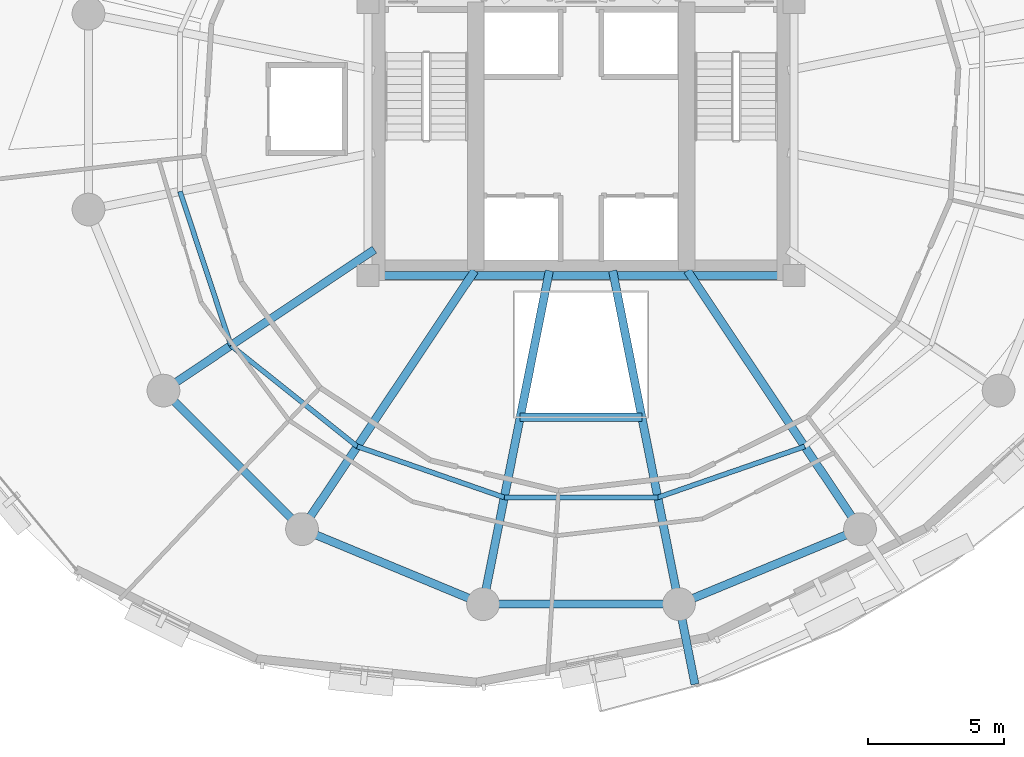
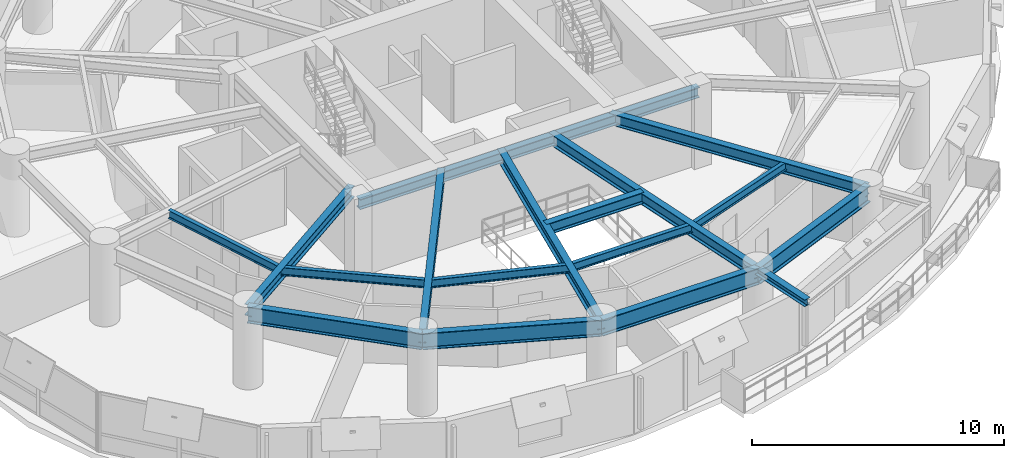
# One storey, part 3 of 14: 17 beams.
"""IFC4 building model written with IfcOpenShell, lengths in metres."""

import ifcopenshell
import ifcopenshell.guid

model = None  # the IFC model being written
_history = None  # IfcOwnerHistory: only IFC2X3 demands one
_inside = {}  # id of a spatial element -> (the spatial element, [elements in it])
_under = {}  # id of a project, library or spatial element -> (it, [spatial elements below it])
_declared = {}  # id of a project -> (the project, [libraries it declares])
_typed = {}  # id of a type object -> (the type object, [elements of that type])
_made_of = {}  # id of a material, layer set ... -> (it, [elements and type objects made of it])


def new_model(schema):
    """Start an empty IFC model of exactly this schema.

    Asked for "IFC4X3", IfcOpenShell would pick the latest addendum, in which some entities
    have other attributes; the version numbers below select the first issue.
    IFC2X3 requires an IfcOwnerHistory on every rooted entity: one is made here for all.
    """
    global model, _history
    if schema == "IFC4X3":
        model = ifcopenshell.file(schema_version=(4, 3, 0, 0))
    else:
        model = ifcopenshell.file(schema=schema)
    _inside.clear()
    _under.clear()
    _declared.clear()
    _typed.clear()
    _made_of.clear()
    _history = None
    if model.schema == "IFC2X3":
        org = make("IfcOrganization", Name="unknown")
        user = make(
            "IfcPersonAndOrganization",
            ThePerson=make("IfcPerson", FamilyName="unknown"),
            TheOrganization=org,
        )
        app = make(
            "IfcApplication",
            ApplicationDeveloper=org,
            Version="unknown",
            ApplicationFullName="unknown",
            ApplicationIdentifier="unknown",
        )
        _history = make(
            "IfcOwnerHistory",
            OwningUser=user,
            OwningApplication=app,
            ChangeAction="ADDED",
            CreationDate=0,
        )
    return model


def make(cls, **values):
    """One entity of the class cls with the attributes given. An attribute that is None is left unset."""
    return model.create_entity(
        cls, **{name: value for name, value in values.items() if value is not None}
    )


def rooted(cls, **values):
    """An entity with a GlobalId (a new one), such as an element, a storey or a relation."""
    return make(cls, GlobalId=ifcopenshell.guid.new(), OwnerHistory=_history, **values)


def si_unit(unit_type, name, prefix=None):
    """IfcSIUnit, for example si_unit("LENGTHUNIT", "METRE", prefix="MILLI")."""
    return make("IfcSIUnit", UnitType=unit_type, Prefix=prefix, Name=name)


def assignment(units):
    """IfcUnitAssignment: the units of a project."""
    return None if units is None else make("IfcUnitAssignment", Units=units)


def point(xyz):
    """IfcCartesianPoint."""
    return None if xyz is None else make("IfcCartesianPoint", Coordinates=xyz)


def direction(xyz):
    """IfcDirection."""
    return None if xyz is None else make("IfcDirection", DirectionRatios=xyz)


def frame(location, z_axis=None, x_axis=None):
    """IfcAxis2Placement3D, a coordinate frame: its origin and axes. An axis left out is left unset."""
    return make(
        "IfcAxis2Placement3D",
        Location=point(location),
        Axis=direction(z_axis),
        RefDirection=direction(x_axis),
    )


def frame_2d(location, x_axis=None):
    """IfcAxis2Placement2D, a coordinate frame in the plane: its origin and x axis."""
    return make(
        "IfcAxis2Placement2D", Location=point(location), RefDirection=direction(x_axis)
    )


def origin():
    """The frame at (0, 0, 0) with its axes left unset."""
    return frame((0.0, 0.0, 0.0))


def origin_2d():
    """The frame at (0, 0) in the plane with its x axis left unset."""
    return frame_2d((0.0, 0.0))


def place(relative_to, where):
    """IfcLocalPlacement: puts the frame where relative to a parent placement (None: the world)."""
    return make(
        "IfcLocalPlacement", PlacementRelTo=relative_to, RelativePlacement=where
    )


def context(
    kind, dimensions, precision=None, world=None, true_north=None, identifier=None
):
    """IfcGeometricRepresentationContext, for example the 3D "Model" context."""
    return make(
        "IfcGeometricRepresentationContext",
        ContextIdentifier=identifier,
        ContextType=kind,
        CoordinateSpaceDimension=dimensions,
        Precision=precision,
        WorldCoordinateSystem=world,
        TrueNorth=true_north,
    )


def subcontext(parent, identifier, kind, view, scale=None):
    """IfcGeometricRepresentationSubContext, for example "Body" below "Model"."""
    return make(
        "IfcGeometricRepresentationSubContext",
        ContextIdentifier=identifier,
        ContextType=kind,
        ParentContext=parent,
        TargetScale=scale,
        TargetView=view,
    )


def project(units=None, contexts=None):
    """IfcProject with its units and contexts."""
    return rooted(
        "IfcProject",
        Name="project",
        RepresentationContexts=contexts,
        UnitsInContext=assignment(units),
    )


def spatial(cls, under=None, at=None, **own):
    """A site, building, storey or space (cls), placed at a placement, below another one or the project."""
    s = rooted(cls, ObjectPlacement=at, **own)
    if under is not None:
        _under.setdefault(under.id(), (under, []))[1].append(s)
    return s


def profile(cls, at=None, kind="AREA", **sizes):
    """A parametric profile (cls). Its sizes go by their IFC names, for example OverallWidth=200.0."""
    return make(cls, ProfileType=kind, Position=at, **sizes)


def i_section(**sizes):
    """IfcIShapeProfileDef."""
    return profile("IfcIShapeProfileDef", **sizes)


def extrude(swept, where, along, depth):
    """IfcExtrudedAreaSolid: the profile swept, set in the frame where, extruded along a direction by depth."""
    return make(
        "IfcExtrudedAreaSolid",
        SweptArea=swept,
        Position=where,
        ExtrudedDirection=direction(along),
        Depth=depth,
    )


def shape(context_of_items, identifier, shape_type, items):
    """IfcShapeRepresentation: the items that make up one representation, for example the "Body"."""
    return make(
        "IfcShapeRepresentation",
        ContextOfItems=context_of_items,
        RepresentationIdentifier=identifier,
        RepresentationType=shape_type,
        Items=items,
    )


def material(Name=None, Category=None):
    """IfcMaterial."""
    return make("IfcMaterial", Name=Name, Category=Category)


def material_profile(
    of_material, cross_section, Name=None, Category=None, Priority=None
):
    """IfcMaterialProfile: a cross section and its material."""
    return make(
        "IfcMaterialProfile",
        Name=Name,
        Material=of_material,
        Profile=cross_section,
        Priority=Priority,
        Category=Category,
    )


def profile_set(profiles, Name=None, composite=None):
    """IfcMaterialProfileSet."""
    return make(
        "IfcMaterialProfileSet",
        Name=Name,
        MaterialProfiles=profiles,
        CompositeProfile=composite,
    )


def made_of(thing, what):
    """Note that an element or type object is made of a material, layer set ...; save() writes the relation."""
    if what is not None:
        _made_of.setdefault(what.id(), (what, []))[1].append(thing)
    return thing


def type_object(cls, material=None, **own):
    """A type object (cls), such as IfcWallType, which elements share."""
    return made_of(rooted(cls, **own), material)


def element(
    cls,
    number,
    at=None,
    inside=None,
    cuts=None,
    type_object=None,
    material=None,
    context=None,
    identifier="Body",
    shape_type=None,
    held_by="IfcProductDefinitionShape",
    body=None,
    shapes=None,
    **own,
):
    """One element of the class cls, such as IfcWall. Its Tag is "e" and its number.

    at: its placement. inside: the storey or other place that contains it. cuts: it is an
    opening in that element (IfcRelVoidsElement). A single representation is given by context,
    identifier, shape_type and body (its items); several are given by shapes. held_by: the class
    of the entity that holds the representations. save() writes the other relations.
    """
    e = rooted(cls, Tag="e%d" % number, ObjectPlacement=at, **own)
    if body is not None:
        shapes = [shape(context, identifier, shape_type, body)]
    if shapes is not None:
        e.Representation = make(held_by, Representations=shapes)
    if inside is not None:
        _inside.setdefault(inside.id(), (inside, []))[1].append(e)
    if cuts is not None:
        rooted(
            "IfcRelVoidsElement", RelatingBuildingElement=cuts, RelatedOpeningElement=e
        )
    if type_object is not None:
        _typed.setdefault(type_object.id(), (type_object, []))[1].append(e)
    return made_of(e, material)


def aggregate(whole, parts):
    """IfcRelAggregates: a whole, such as a stair, and the parts it consists of."""
    return rooted("IfcRelAggregates", RelatingObject=whole, RelatedObjects=parts)


def save(model, path):
    """Write the relations noted so far, then the file.

    IfcRelAggregates (storeys below a building ...), IfcRelContainedInSpatialStructure (elements
    in a storey), IfcRelDefinesByType, IfcRelAssociatesMaterial and IfcRelDeclares: one each for
    every whole, place, type object, material and project.
    """
    for whole, parts in _under.values():
        aggregate(whole, parts)
    for where, things in _inside.values():
        rooted(
            "IfcRelContainedInSpatialStructure",
            RelatedElements=things,
            RelatingStructure=where,
        )
    for kind, things in _typed.values():
        rooted("IfcRelDefinesByType", RelatedObjects=things, RelatingType=kind)
    for what, things in _made_of.values():
        rooted("IfcRelAssociatesMaterial", RelatedObjects=things, RelatingMaterial=what)
    for by, libraries in _declared.values():
        rooted("IfcRelDeclares", RelatingContext=by, RelatedDefinitions=libraries)
    model.write(path)


model = new_model("IFC4")

# Units and contexts
model_context = context("Model", 3, precision=1e-05, world=origin(), true_north=direction((0.0, 1.0)))
body_context = subcontext(model_context, "Body", "Model", "MODEL_VIEW")
ifc_project = project(units=[si_unit("LENGTHUNIT", "METRE"), si_unit("AREAUNIT", "SQUARE_METRE"), si_unit("VOLUMEUNIT", "CUBIC_METRE"), si_unit("PLANEANGLEUNIT", "RADIAN"), si_unit("MASSUNIT", "GRAM", prefix="KILO"), si_unit("THERMODYNAMICTEMPERATUREUNIT", "KELVIN"), si_unit("POWERUNIT", "WATT")], contexts=[model_context])

# Site, building, storey
site_placement = place(None, origin())
site = spatial("IfcSite", under=ifc_project, at=site_placement, CompositionType="ELEMENT")
building_placement = place(site_placement, origin())
building = spatial("IfcBuilding", under=site, at=building_placement, Name="Ocrelia Relay Tower", CompositionType="ELEMENT")
storey_placement = place(building_placement, frame((0.0, 0.0, 145.800048828125)))
storey = spatial("IfcBuildingStorey", under=building, at=storey_placement, Name="L34", CompositionType="ELEMENT", Elevation=145.800048828125)

# Beams
ifc_material = material(Name="Steel S355", Category="steel")
ifc_material_profile_1 = material_profile(ifc_material, i_section(OverallWidth=0.300048828125, OverallDepth=0.330078125, WebThickness=0.009521484375, FlangeThickness=0.0166015625, FilletRadius=0.027099609375, at=origin_2d()), Name="HEA 340")
ifc_profile_set_1 = profile_set([ifc_material_profile_1], Name="Steel S355")
beam_type_1 = type_object("IfcBeamType", Name="BM-HEA340", PredefinedType="BEAM", material=ifc_profile_set_1)
beam_1_placement = place(storey_placement, frame((37.589599609375, 7.95361328125, 3.554931640625), z_axis=(0.195065294582, -0.980790258337, 0.0), x_axis=(0.980790258337, 0.195065294582, 0.0)))
element("IfcBeam", 1, at=beam_1_placement, inside=storey, type_object=beam_type_1, Name="L35 Balcony Cantilever Beam B2-1", PredefinedType="BEAM", context=body_context, shape_type="SweptSolid", body=[
    extrude(i_section(OverallWidth=0.300048828125, OverallDepth=0.330078125, WebThickness=0.009521484375, FlangeThickness=0.0166015625, FilletRadius=0.027099609375, at=origin_2d()), origin(), (0.0, 0.0, 1.0), 2.993896484375),
])
ifc_material_profile_2 = material_profile(ifc_material, i_section(OverallWidth=0.300048828125, OverallDepth=0.5, WebThickness=0.014404296875, FlangeThickness=0.028076171875, FilletRadius=0.027099609375, at=origin_2d()), Name="HEB 500")
ifc_profile_set_2 = profile_set([ifc_material_profile_2], Name="Steel S355")
beam_type_2 = type_object("IfcBeamType", Name="BM-HEB500", PredefinedType="BEAM", material=ifc_profile_set_2)
beam_2_placement = place(storey_placement, frame((26.199951171875, 20.0, 3.469970703125), z_axis=(1.0, 0.0, 0.0), x_axis=(0.0, 1.0, 0.0)))
element("IfcBeam", 2, at=beam_2_placement, inside=storey, type_object=beam_type_2, Name="L34 Core Pilaster Tie Beam S", PredefinedType="BEAM", context=body_context, shape_type="SweptSolid", body=[
    extrude(i_section(OverallWidth=0.300048828125, OverallDepth=0.5, WebThickness=0.014404296875, FlangeThickness=0.028076171875, FilletRadius=0.027099609375, at=origin_2d()), origin(), (0.0, 0.0, 1.0), 15.60009765625),
])
ifc_material_profile_3 = material_profile(ifc_material, i_section(OverallWidth=0.300048828125, OverallDepth=0.550048828125, WebThickness=0.014892578125, FlangeThickness=0.029052734375, FilletRadius=0.027099609375, at=origin_2d()), Name="HEB 550")
ifc_profile_set_3 = profile_set([ifc_material_profile_3], Name="Steel S355")
beam_type_3 = type_object("IfcBeamType", Name="BM-HEB550", PredefinedType="BEAM", material=ifc_profile_set_3)
beam_3_placement = place(storey_placement, frame((18.700927734375, 15.777587890625, 3.445068359375), z_axis=(0.831472030531, 0.555566613868, 0.0), x_axis=(-0.555566613868, 0.831472030531, 0.0)))
element("IfcBeam", 3, at=beam_3_placement, inside=storey, type_object=beam_type_3, Name="L34 Radial Floor Girder R10", PredefinedType="BEAM", context=body_context, shape_type="SweptSolid", body=[
    extrude(i_section(OverallWidth=0.300048828125, OverallDepth=0.550048828125, WebThickness=0.014892578125, FlangeThickness=0.029052734375, FilletRadius=0.027099609375, at=origin_2d()), origin(), (0.0, 0.0, 1.0), 9.295654296875),
])
beam_4_placement = place(storey_placement, frame((23.777587890625, 10.700927734375, 3.445068359375), z_axis=(0.555565661158, 0.831472667105, 0.0), x_axis=(-0.831472667105, 0.555565661158, 0.0)))
element("IfcBeam", 4, at=beam_4_placement, inside=storey, type_object=beam_type_3, Name="L34 Radial Floor Girder R11", PredefinedType="BEAM", context=body_context, shape_type="SweptSolid", body=[
    extrude(i_section(OverallWidth=0.300048828125, OverallDepth=0.550048828125, WebThickness=0.014892578125, FlangeThickness=0.029052734375, FilletRadius=0.027099609375, at=origin_2d()), origin(), (0.0, 0.0, 1.0), 11.38818359375),
])
for number, where, z_axis, x_axis, name in (
    (5, (30.410400390625, 7.95361328125, 3.445068359375), (0.195086983979, 0.980785944374, 0.0), (-0.980785944374, 0.195086983979, 0.0), "L34 Radial Floor Girder R12"),
    (6, (37.589599609375, 7.95361328125, 3.445068359375), (-0.195086983979, 0.980785944374, 0.0), (-0.980785944374, -0.195086983979, 0.0), "L34 Radial Floor Girder R13"),
):
    element("IfcBeam", number, at=place(storey_placement, frame(where, z_axis=z_axis, x_axis=x_axis)), inside=storey, type_object=beam_type_3, Name=name, PredefinedType="BEAM", context=body_context, shape_type="SweptSolid", body=[
        extrude(i_section(OverallWidth=0.300048828125, OverallDepth=0.550048828125, WebThickness=0.014892578125, FlangeThickness=0.029052734375, FilletRadius=0.027099609375, at=origin_2d()), origin(), (0.0, 0.0, 1.0), 12.45556640625),
    ])
beam_5_placement = place(storey_placement, frame((44.222412109375, 10.700927734375, 3.445068359375), z_axis=(-0.555565661158, 0.831472667105, 0.0), x_axis=(-0.831472667105, -0.555565661158, 0.0)))
element("IfcBeam", 7, at=beam_5_placement, inside=storey, type_object=beam_type_3, Name="L34 Radial Floor Girder R14", PredefinedType="BEAM", context=body_context, shape_type="SweptSolid", body=[
    extrude(i_section(OverallWidth=0.300048828125, OverallDepth=0.550048828125, WebThickness=0.014892578125, FlangeThickness=0.029052734375, FilletRadius=0.027099609375, at=origin_2d()), origin(), (0.0, 0.0, 1.0), 11.38818359375),
])
beam_6_placement = place(storey_placement, frame((31.772216796875, 14.800048828125, 3.445068359375), z_axis=(1.0, 0.0, 0.0), x_axis=(0.0, 1.0, 0.0)))
element("IfcBeam", 8, at=beam_6_placement, inside=storey, type_object=beam_type_3, Name="L34 Atrium South Trimmer Beam", PredefinedType="BEAM", context=body_context, shape_type="SweptSolid", body=[
    extrude(i_section(OverallWidth=0.300048828125, OverallDepth=0.550048828125, WebThickness=0.014892578125, FlangeThickness=0.029052734375, FilletRadius=0.027099609375, at=origin_2d()), origin(), (0.0, 0.0, 1.0), 4.45556640625),
])
ifc_material_profile_4 = material_profile(ifc_material, i_section(OverallWidth=0.300048828125, OverallDepth=0.800048828125, WebThickness=0.017578125, FlangeThickness=0.032958984375, FilletRadius=0.030029296875, at=origin_2d()), Name="HEB 800")
ifc_profile_set_4 = profile_set([ifc_material_profile_4], Name="Steel S355")
beam_type_4 = type_object("IfcBeamType", Name="BM-HEB800", PredefinedType="BEAM", material=ifc_profile_set_4)
beam_7_placement = place(storey_placement, frame((18.700927734375, 15.777587890625, 3.320068359375), z_axis=(0.707106781187, -0.707106781187, 0.0), x_axis=(0.707106781187, 0.707106781187, 0.0)))
element("IfcBeam", 9, at=beam_7_placement, inside=storey, type_object=beam_type_4, Name="L34 Perimeter Spandrel Beam S10", PredefinedType="BEAM", context=body_context, shape_type="SweptSolid", body=[
    extrude(i_section(OverallWidth=0.300048828125, OverallDepth=0.800048828125, WebThickness=0.017578125, FlangeThickness=0.032958984375, FilletRadius=0.030029296875, at=origin_2d()), origin(), (0.0, 0.0, 1.0), 7.179443359375),
])
for number, where, z_axis, x_axis, name in (
    (10, (23.777587890625, 10.700927734375, 3.320068359375), (0.923883789366, -0.382673155247, 0.0), (0.382673155247, 0.923883789366, 0.0), "L34 Perimeter Spandrel Beam S11"),
    (11, (30.410400390625, 7.95361328125, 3.320068359375), (1.0, 0.0, 0.0), (0.0, 1.0, 0.0), "L34 Perimeter Spandrel Beam S12"),
    (12, (37.589599609375, 7.95361328125, 3.320068359375), (0.923883789366, 0.382673155247, 0.0), (-0.382673155247, 0.923883789366, 0.0), "L34 Perimeter Spandrel Beam S13"),
):
    element("IfcBeam", number, at=place(storey_placement, frame(where, z_axis=z_axis, x_axis=x_axis)), inside=storey, type_object=beam_type_4, Name=name, PredefinedType="BEAM", context=body_context, shape_type="SweptSolid", body=[
        extrude(i_section(OverallWidth=0.300048828125, OverallDepth=0.800048828125, WebThickness=0.017578125, FlangeThickness=0.032958984375, FilletRadius=0.030029296875, at=origin_2d()), origin(), (0.0, 0.0, 1.0), 7.17919921875),
    ])
ifc_material_profile_5 = material_profile(ifc_material, i_section(OverallWidth=0.179931640625, OverallDepth=0.39990234375, WebThickness=0.008544921875, FlangeThickness=0.013427734375, FilletRadius=0.02099609375, at=origin_2d()), Name="IPE 400")
ifc_profile_set_5 = profile_set([ifc_material_profile_5], Name="Steel S355")
beam_type_5 = type_object("IfcBeamType", Name="BM-IPE400", PredefinedType="JOIST", material=ifc_profile_set_5)
beam_8_placement = place(storey_placement, frame((19.305908203125, 23.0771484375, 3.52001953125), z_axis=(0.314121352003, -0.949382839647, 0.0), x_axis=(0.949382839647, 0.314121352003, 0.0)))
element("IfcBeam", 13, at=beam_8_placement, inside=storey, type_object=beam_type_5, Name="L34 Secondary Floor Joist J09", PredefinedType="JOIST", context=body_context, shape_type="SweptSolid", body=[
    extrude(i_section(OverallWidth=0.179931640625, OverallDepth=0.39990234375, WebThickness=0.008544921875, FlangeThickness=0.013427734375, FilletRadius=0.02099609375, at=origin_2d()), origin(), (0.0, 0.0, 1.0), 5.947998046875),
])
beam_9_placement = place(storey_placement, frame((21.17431640625, 17.43017578125, 3.52001953125), z_axis=(0.781130070991, -0.62436833055, 0.0), x_axis=(0.62436833055, 0.781130070991, 0.0)))
element("IfcBeam", 14, at=beam_9_placement, inside=storey, type_object=beam_type_5, Name="L34 Secondary Floor Joist J10", PredefinedType="JOIST", context=body_context, shape_type="SweptSolid", body=[
    extrude(i_section(OverallWidth=0.179931640625, OverallDepth=0.39990234375, WebThickness=0.008544921875, FlangeThickness=0.013427734375, FilletRadius=0.02099609375, at=origin_2d()), origin(), (0.0, 0.0, 1.0), 5.92431640625),
])
beam_10_placement = place(storey_placement, frame((25.802001953125, 13.731201171875, 3.52001953125), z_axis=(0.944767437111, -0.327741498401, 0.0), x_axis=(0.327741498401, 0.944767437111, 0.0)))
element("IfcBeam", 15, at=beam_10_placement, inside=storey, type_object=beam_type_5, Name="L34 Secondary Floor Joist J11", PredefinedType="JOIST", context=body_context, shape_type="SweptSolid", body=[
    extrude(i_section(OverallWidth=0.179931640625, OverallDepth=0.39990234375, WebThickness=0.008544921875, FlangeThickness=0.013427734375, FilletRadius=0.02099609375, at=origin_2d()), origin(), (0.0, 0.0, 1.0), 5.700927734375),
])
beam_11_placement = place(storey_placement, frame((31.18798828125, 11.86279296875, 3.52001953125), z_axis=(1.0, 0.0, 0.0), x_axis=(0.0, 1.0, 0.0)))
element("IfcBeam", 16, at=beam_11_placement, inside=storey, type_object=beam_type_5, Name="L34 Secondary Floor Joist J12", PredefinedType="JOIST", context=body_context, shape_type="SweptSolid", body=[
    extrude(i_section(OverallWidth=0.179931640625, OverallDepth=0.39990234375, WebThickness=0.008544921875, FlangeThickness=0.013427734375, FilletRadius=0.02099609375, at=origin_2d()), origin(), (0.0, 0.0, 1.0), 5.6240234375),
])
beam_12_placement = place(storey_placement, frame((36.81201171875, 11.86279296875, 3.52001953125), z_axis=(0.944767437111, 0.327741498401, 0.0), x_axis=(-0.327741498401, 0.944767437111, 0.0)))
element("IfcBeam", 17, at=beam_12_placement, inside=storey, type_object=beam_type_5, Name="L34 Secondary Floor Joist J13", PredefinedType="JOIST", context=body_context, shape_type="SweptSolid", body=[
    extrude(i_section(OverallWidth=0.179931640625, OverallDepth=0.39990234375, WebThickness=0.008544921875, FlangeThickness=0.013427734375, FilletRadius=0.02099609375, at=origin_2d()), origin(), (0.0, 0.0, 1.0), 5.700927734375),
])

save(model, "model.ifc")
